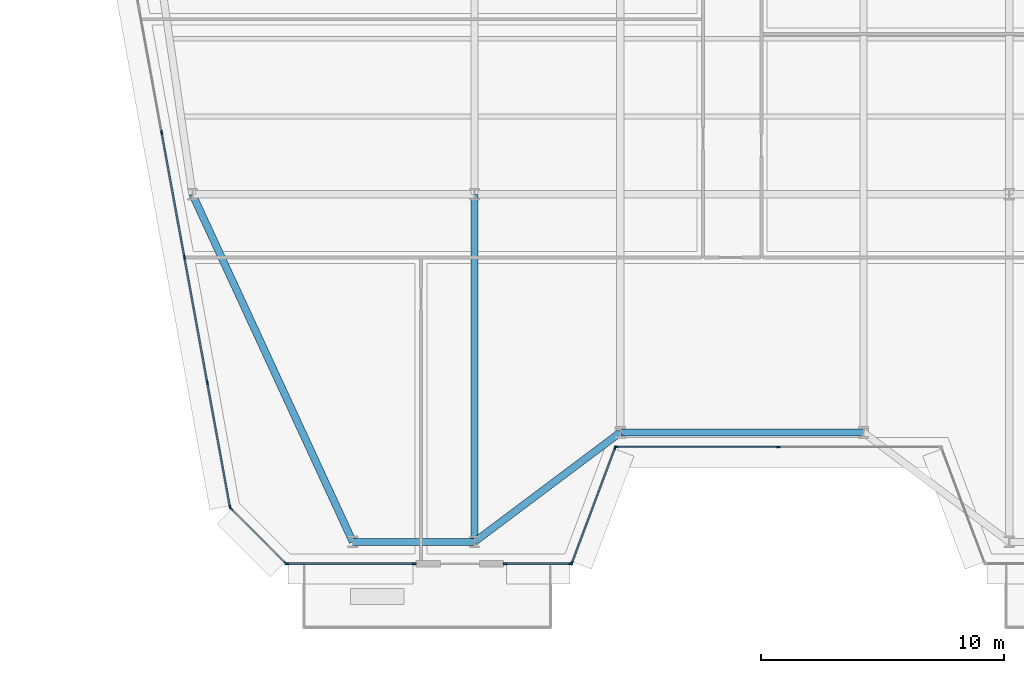
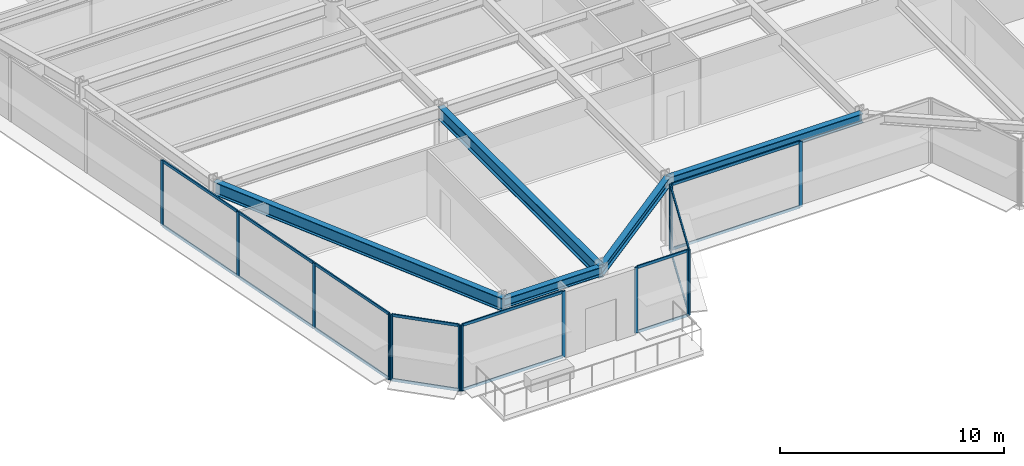
# One storey, part 2 of 17: 30 members, 5 beams, 6 elements without a shape of their own.
"""IFC4 building model written with IfcOpenShell, lengths in metres."""

from ifc_helpers import new_model, si_unit, direction, frame, origin, origin_2d, place, context, subcontext, project, spatial, rectangle, i_section, extrude, source, transform, mapped, material, layer, layer_set, material_profile, profile_set, type_object, element, aggregate, save


model = new_model("IFC4")

# Units and contexts
model_context = context("Model", 3, precision=1e-05, world=origin(), true_north=direction((0.0, 1.0)))
body_context = subcontext(model_context, "Body", "Model", "MODEL_VIEW")
ifc_project = project(units=[si_unit("LENGTHUNIT", "METRE"), si_unit("AREAUNIT", "SQUARE_METRE"), si_unit("VOLUMEUNIT", "CUBIC_METRE"), si_unit("PLANEANGLEUNIT", "RADIAN"), si_unit("MASSUNIT", "GRAM", prefix="KILO")], contexts=[model_context])

# Site, building, storey
site_placement = place(None, origin())
site = spatial("IfcSite", under=ifc_project, at=site_placement, CompositionType="ELEMENT")
building_placement = place(site_placement, origin())
building = spatial("IfcBuilding", under=site, at=building_placement, Name="Vaeldorn Concourse Tower", CompositionType="ELEMENT")
storey_placement = place(building_placement, frame((0.0, 0.0, 153.800048828125)))
storey = spatial("IfcBuildingStorey", under=building, at=storey_placement, Name="L39", CompositionType="ELEMENT", Elevation=153.800048828125)

# Beams
ifc_material_1 = material(Name="Steel S355", Category="steel")
ifc_material_profile_1 = material_profile(ifc_material_1, i_section(OverallWidth=0.300048828125, OverallDepth=0.5, WebThickness=0.014404296875, FlangeThickness=0.028076171875, FilletRadius=0.027099609375, at=origin_2d()), Name="HEB 500")
ifc_profile_set_1 = profile_set([ifc_material_profile_1], Name="Steel S355")
beam_type_1 = type_object("IfcBeamType", Name="BM-SP-HEB500", PredefinedType="SPANDREL", material=ifc_profile_set_1)
shared_shape_1 = source(origin(), body_context, "Body", "SweptSolid", [
    extrude(i_section(OverallWidth=0.300048828125, OverallDepth=0.5, WebThickness=0.014404296875, FlangeThickness=0.028076171875, FilletRadius=0.027099609375, at=origin_2d()), origin(), (0.0, 0.0, 1.0), 5.0),
])
beam_1_placement = place(storey_placement, frame((18.0, 3.699951171875, 3.329833984375), z_axis=(1.0, 0.0, 0.0), x_axis=(0.0, 1.0, 0.0)))
element("IfcBeam", 1, at=beam_1_placement, inside=storey, type_object=beam_type_1, Name="Beam BM-L39-C-SF1-C-SF2", PredefinedType="SPANDREL", context=body_context, shape_type="MappedRepresentation", body=[
    mapped(shared_shape_1, transform((0.0, 0.0, 0.0), scale=1.0)),
])
shared_shape_2 = source(origin(), body_context, "Body", "SweptSolid", [
    extrude(i_section(OverallWidth=0.300048828125, OverallDepth=0.5, WebThickness=0.014404296875, FlangeThickness=0.028076171875, FilletRadius=0.027099609375, at=origin_2d()), origin(), (0.0, 0.0, 1.0), 7.5),
])
beam_2_placement = place(storey_placement, frame((23.0, 3.699951171875, 3.329833984375), z_axis=(0.8, 0.6, 0.0), x_axis=(-0.6, 0.8, 0.0)))
element("IfcBeam", 2, at=beam_2_placement, inside=storey, type_object=beam_type_1, Name="Beam BM-L39-C-SF2-C-SF3", PredefinedType="SPANDREL", context=body_context, shape_type="MappedRepresentation", body=[
    mapped(shared_shape_2, transform((0.0, 0.0, 0.0), scale=1.0)),
])
shared_shape_3 = source(origin(), body_context, "Body", "SweptSolid", [
    extrude(i_section(OverallWidth=0.300048828125, OverallDepth=0.5, WebThickness=0.014404296875, FlangeThickness=0.028076171875, FilletRadius=0.027099609375, at=origin_2d()), origin(), (0.0, 0.0, 1.0), 10.0),
])
beam_3_placement = place(storey_placement, frame((29.0, 8.199951171875, 3.329833984375), z_axis=(1.0, 0.0, 0.0), x_axis=(0.0, 1.0, 0.0)))
element("IfcBeam", 3, at=beam_3_placement, inside=storey, type_object=beam_type_1, Name="Beam BM-L39-C-SF3-C-SF4", PredefinedType="SPANDREL", context=body_context, shape_type="MappedRepresentation", body=[
    mapped(shared_shape_3, transform((0.0, 0.0, 0.0), scale=1.0)),
])
ifc_material_profile_2 = material_profile(ifc_material_1, i_section(OverallWidth=0.300048828125, OverallDepth=0.699951171875, WebThickness=0.01708984375, FlangeThickness=0.031982421875, FilletRadius=0.027099609375, at=origin_2d()), Name="HEB 700")
ifc_profile_set_2 = profile_set([ifc_material_profile_2], Name="Steel S355")
beam_type_2 = type_object("IfcBeamType", Name="BM-PG-HEB700", PredefinedType="BEAM", material=ifc_profile_set_2)
shared_shape_4 = source(origin(), body_context, "Body", "SweptSolid", [
    extrude(i_section(OverallWidth=0.300048828125, OverallDepth=0.699951171875, WebThickness=0.01708984375, FlangeThickness=0.031982421875, FilletRadius=0.027099609375, at=origin_2d()), origin(), (0.0, 0.0, 1.0), 15.749755859375),
])
beam_4_placement = place(storey_placement, frame((18.0, 3.699951171875, 3.22998046875), z_axis=(-0.419062109495, 0.907957569706, 0.0), x_axis=(-0.907957569706, -0.419062109495, 0.0)))
element("IfcBeam", 4, at=beam_4_placement, inside=storey, type_object=beam_type_2, Name="Beam BM-L39-C-SF1-C-FLW2", PredefinedType="BEAM", context=body_context, shape_type="MappedRepresentation", body=[
    mapped(shared_shape_4, transform((0.0, 0.0, 0.0), scale=1.0)),
])
shared_shape_5 = source(origin(), body_context, "Body", "SweptSolid", [
    extrude(i_section(OverallWidth=0.300048828125, OverallDepth=0.699951171875, WebThickness=0.01708984375, FlangeThickness=0.031982421875, FilletRadius=0.027099609375, at=origin_2d()), origin(), (0.0, 0.0, 1.0), 14.300048828125),
])
beam_5_placement = place(storey_placement, frame((23.0, 3.699951171875, 3.22998046875), z_axis=(0.0, 1.0, 0.0), x_axis=(-1.0, 0.0, 0.0)))
element("IfcBeam", 5, at=beam_5_placement, inside=storey, type_object=beam_type_2, Name="Beam BM-L39-C-SF2-C-TW5", PredefinedType="BEAM", context=body_context, shape_type="MappedRepresentation", body=[
    mapped(shared_shape_5, transform((0.0, 0.0, 0.0), scale=1.0)),
])

# Curtain wall, members
ifc_material_2 = material(Name="Anodised Bronze Aluminium", Category="aluminium")
ifc_layer = layer(ifc_material_2, 0.2099609375)
ifc_layer_set = layer_set([ifc_layer], Name="Anodised Bronze Aluminium")
curtain_wall_type = type_object("IfcCurtainWallType", Name="CW-SYS-06", PredefinedType="NOTDEFINED", material=ifc_layer_set)
curtain_wall_1_placement = place(storey_placement, origin())
curtain_wall_1 = element("IfcCurtainWall", 6, at=curtain_wall_1_placement, inside=storey, type_object=curtain_wall_type, Name="Unitised Curtain Wall CW-L39-E01-1", PredefinedType="NOTDEFINED")
ifc_material_profile_3 = material_profile(ifc_material_2, rectangle(XDim=0.06494140625, YDim=0.169921875, at=origin_2d()), Name="CWM 65x170")
ifc_profile_set_3 = profile_set([ifc_material_profile_3], Name="Anodised Bronze Aluminium")
member_type_1 = type_object("IfcMemberType", Name="CWM-BRONZE-170", PredefinedType="MULLION", material=ifc_profile_set_3)
shared_shape_6 = source(origin(), body_context, "Body", "SweptSolid", [
    extrude(rectangle(XDim=0.06494140625, YDim=0.169921875, at=origin_2d()), origin(), (0.0, 0.0, 1.0), 3.579833984375),
])
member_1_placement = place(storey_placement, frame((15.285400390625, 2.800048828125, 0.0), z_axis=(0.0, 0.0, 1.0), x_axis=(0.0, 1.0, 0.0)))
member_1 = element("IfcMember", 7, at=member_1_placement, type_object=member_type_1, Name="CW-06 mullion 1", PredefinedType="MULLION", context=body_context, shape_type="MappedRepresentation", body=[
    mapped(shared_shape_6, transform((0.0, 0.0, 0.0), scale=1.0)),
])
member_2_placement = place(storey_placement, frame((20.527587890625, 2.800048828125, 0.0), z_axis=(0.0, 0.0, 1.0), x_axis=(0.0, 1.0, 0.0)))
member_2 = element("IfcMember", 8, at=member_2_placement, type_object=member_type_1, Name="CW-06 mullion 2", PredefinedType="MULLION", context=body_context, shape_type="MappedRepresentation", body=[
    mapped(shared_shape_6, transform((0.0, 0.0, 0.0), scale=1.0)),
])

curtain_wall_2_placement = place(storey_placement, origin())
curtain_wall_2 = element("IfcCurtainWall", 9, at=curtain_wall_2_placement, inside=storey, type_object=curtain_wall_type, Name="Unitised Curtain Wall CW-L39-E01-2", PredefinedType="NOTDEFINED")
member_3_placement = place(storey_placement, frame((24.2724609375, 2.800048828125, 0.0), z_axis=(0.0, 0.0, 1.0), x_axis=(0.0, 1.0, 0.0)))
member_3 = element("IfcMember", 10, at=member_3_placement, type_object=member_type_1, Name="CW-06 mullion 1", PredefinedType="MULLION", context=body_context, shape_type="MappedRepresentation", body=[
    mapped(shared_shape_6, transform((0.0, 0.0, 0.0), scale=1.0)),
])
member_4_placement = place(storey_placement, frame((26.967529296875, 2.800048828125, 0.0), z_axis=(0.0, 0.0, 1.0), x_axis=(0.0, 1.0, 0.0)))
member_4 = element("IfcMember", 11, at=member_4_placement, type_object=member_type_1, Name="CW-06 mullion 2", PredefinedType="MULLION", context=body_context, shape_type="MappedRepresentation", body=[
    mapped(shared_shape_6, transform((0.0, 0.0, 0.0), scale=1.0)),
])

curtain_wall_3_placement = place(storey_placement, origin())
curtain_wall_3 = element("IfcCurtainWall", 12, at=curtain_wall_3_placement, inside=storey, type_object=curtain_wall_type, Name="Unitised Curtain Wall CW-L39-E02-1", PredefinedType="NOTDEFINED")
member_5_placement = place(storey_placement, frame((27.011474609375, 2.830322265625, 0.0), z_axis=(0.0, 0.0, 1.0), x_axis=(-0.936329177566, 0.351123441595, 0.0)))
member_5 = element("IfcMember", 13, at=member_5_placement, type_object=member_type_1, Name="CW-06 mullion 1", PredefinedType="MULLION", context=body_context, shape_type="MappedRepresentation", body=[
    mapped(shared_shape_6, transform((0.0, 0.0, 0.0), scale=1.0)),
])
member_6_placement = place(storey_placement, frame((28.78857421875, 7.569580078125, 0.0), z_axis=(0.0, 0.0, 1.0), x_axis=(-0.936329177566, 0.351123441595, 0.0)))
member_6 = element("IfcMember", 14, at=member_6_placement, type_object=member_type_1, Name="CW-06 mullion 2", PredefinedType="MULLION", context=body_context, shape_type="MappedRepresentation", body=[
    mapped(shared_shape_6, transform((0.0, 0.0, 0.0), scale=1.0)),
])

curtain_wall_4_placement = place(storey_placement, origin())
curtain_wall_4 = element("IfcCurtainWall", 15, at=curtain_wall_4_placement, inside=storey, type_object=curtain_wall_type, Name="Unitised Curtain Wall CW-L39-E03-1", PredefinedType="NOTDEFINED")
member_7_placement = place(storey_placement, frame((28.83251953125, 7.60009765625, 0.0), z_axis=(0.0, 0.0, 1.0), x_axis=(0.0, 1.0, 0.0)))
member_7 = element("IfcMember", 16, at=member_7_placement, type_object=member_type_1, Name="CW-06 mullion 1", PredefinedType="MULLION", context=body_context, shape_type="MappedRepresentation", body=[
    mapped(shared_shape_6, transform((0.0, 0.0, 0.0), scale=1.0)),
])
member_8_placement = place(storey_placement, frame((35.5, 7.60009765625, 0.0), z_axis=(0.0, 0.0, 1.0), x_axis=(0.0, 1.0, 0.0)))
member_8 = element("IfcMember", 17, at=member_8_placement, type_object=member_type_1, Name="CW-06 mullion 2", PredefinedType="MULLION", context=body_context, shape_type="MappedRepresentation", body=[
    mapped(shared_shape_6, transform((0.0, 0.0, 0.0), scale=1.0)),
])

curtain_wall_5_placement = place(storey_placement, origin())
curtain_wall_5 = element("IfcCurtainWall", 18, at=curtain_wall_5_placement, inside=storey, type_object=curtain_wall_type, Name="Unitised Curtain Wall CW-L39-E11-2", PredefinedType="NOTDEFINED")
member_9_placement = place(storey_placement, frame((10.136474609375, 20.541015625, 0.0), z_axis=(0.0, 0.0, 1.0), x_axis=(0.983767760981, 0.179446349793, 0.0)))
member_9 = element("IfcMember", 19, at=member_9_placement, type_object=member_type_1, Name="CW-06 mullion 4", PredefinedType="MULLION", context=body_context, shape_type="MappedRepresentation", body=[
    mapped(shared_shape_6, transform((0.0, 0.0, 0.0), scale=1.0)),
])
member_10_placement = place(storey_placement, frame((11.0751953125, 15.39404296875, 0.0), z_axis=(0.0, 0.0, 1.0), x_axis=(0.983767760981, 0.179446349793, 0.0)))
member_10 = element("IfcMember", 20, at=member_10_placement, type_object=member_type_1, Name="CW-06 mullion 5", PredefinedType="MULLION", context=body_context, shape_type="MappedRepresentation", body=[
    mapped(shared_shape_6, transform((0.0, 0.0, 0.0), scale=1.0)),
])
member_11_placement = place(storey_placement, frame((12.01416015625, 10.2470703125, 0.0), z_axis=(0.0, 0.0, 1.0), x_axis=(0.983767760981, 0.179446349793, 0.0)))
member_11 = element("IfcMember", 21, at=member_11_placement, type_object=member_type_1, Name="CW-06 mullion 6", PredefinedType="MULLION", context=body_context, shape_type="MappedRepresentation", body=[
    mapped(shared_shape_6, transform((0.0, 0.0, 0.0), scale=1.0)),
])
member_12_placement = place(storey_placement, frame((12.947265625, 5.132080078125, 0.0), z_axis=(0.0, 0.0, 1.0), x_axis=(0.983767760981, 0.179446349793, 0.0)))
member_12 = element("IfcMember", 22, at=member_12_placement, type_object=member_type_1, Name="CW-06 mullion 7", PredefinedType="MULLION", context=body_context, shape_type="MappedRepresentation", body=[
    mapped(shared_shape_6, transform((0.0, 0.0, 0.0), scale=1.0)),
])

curtain_wall_6_placement = place(storey_placement, origin())
curtain_wall_6 = element("IfcCurtainWall", 23, at=curtain_wall_6_placement, inside=storey, type_object=curtain_wall_type, Name="Unitised Curtain Wall CW-L39-E12-1", PredefinedType="NOTDEFINED")
member_13_placement = place(storey_placement, frame((12.97607421875, 5.076904296875, 0.0), z_axis=(0.0, 0.0, 1.0), x_axis=(0.707106781187, 0.707106781187, 0.0)))
member_13 = element("IfcMember", 24, at=member_13_placement, type_object=member_type_1, Name="CW-06 mullion 1", PredefinedType="MULLION", context=body_context, shape_type="MappedRepresentation", body=[
    mapped(shared_shape_6, transform((0.0, 0.0, 0.0), scale=1.0)),
])
member_14_placement = place(storey_placement, frame((15.22998046875, 2.822998046875, 0.0), z_axis=(0.0, 0.0, 1.0), x_axis=(0.707106781187, 0.707106781187, 0.0)))
member_14 = element("IfcMember", 25, at=member_14_placement, type_object=member_type_1, Name="CW-06 mullion 2", PredefinedType="MULLION", context=body_context, shape_type="MappedRepresentation", body=[
    mapped(shared_shape_6, transform((0.0, 0.0, 0.0), scale=1.0)),
])

# Member
ifc_material_profile_4 = material_profile(ifc_material_2, rectangle(XDim=0.06494140625, YDim=0.14990234375, at=origin_2d()), Name="CWT 65x150")
ifc_profile_set_4 = profile_set([ifc_material_profile_4], Name="Anodised Bronze Aluminium")
member_type_2 = type_object("IfcMemberType", Name="CWT-BRONZE-150", PredefinedType="USERDEFINED", material=ifc_profile_set_4)
shared_shape_7 = source(origin(), body_context, "Body", "SweptSolid", [
    extrude(rectangle(XDim=0.06494140625, YDim=0.14990234375, at=origin_2d()), origin(), (0.0, 0.0, 1.0), 5.177001953125),
])
member_15_placement = place(storey_placement, frame((15.318115234375, 2.800048828125, 0.032470703125), z_axis=(1.0, 0.0, 0.0), x_axis=(0.0, 1.0, 0.0)))
member_15 = element("IfcMember", 26, at=member_15_placement, type_object=member_type_2, Name="CW-06 transom 1.1", ObjectType="TRANSOM", PredefinedType="USERDEFINED", context=body_context, shape_type="MappedRepresentation", body=[
    mapped(shared_shape_7, transform((0.0, 0.0, 0.0), scale=1.0)),
])

member_16_placement = place(storey_placement, frame((15.318115234375, 2.800048828125, 3.54736328125), z_axis=(1.0, 0.0, 0.0), x_axis=(0.0, 1.0, 0.0)))
member_16 = element("IfcMember", 27, at=member_16_placement, type_object=member_type_2, Name="CW-06 transom 1.2", ObjectType="TRANSOM", PredefinedType="USERDEFINED", context=body_context, shape_type="MappedRepresentation", body=[
    mapped(shared_shape_7, transform((0.0, 0.0, 0.0), scale=1.0)),
])

aggregate(curtain_wall_1, [member_1, member_2, member_15, member_16])

shared_shape_8 = source(origin(), body_context, "Body", "SweptSolid", [
    extrude(rectangle(XDim=0.06494140625, YDim=0.14990234375, at=origin_2d()), origin(), (0.0, 0.0, 1.0), 2.630126953125),
])
member_17_placement = place(storey_placement, frame((24.304931640625, 2.800048828125, 0.032470703125), z_axis=(1.0, 0.0, 0.0), x_axis=(0.0, 1.0, 0.0)))
member_17 = element("IfcMember", 28, at=member_17_placement, type_object=member_type_2, Name="CW-06 transom 1.1", ObjectType="TRANSOM", PredefinedType="USERDEFINED", context=body_context, shape_type="MappedRepresentation", body=[
    mapped(shared_shape_8, transform((0.0, 0.0, 0.0), scale=1.0)),
])

member_18_placement = place(storey_placement, frame((24.304931640625, 2.800048828125, 3.54736328125), z_axis=(1.0, 0.0, 0.0), x_axis=(0.0, 1.0, 0.0)))
member_18 = element("IfcMember", 29, at=member_18_placement, type_object=member_type_2, Name="CW-06 transom 1.2", ObjectType="TRANSOM", PredefinedType="USERDEFINED", context=body_context, shape_type="MappedRepresentation", body=[
    mapped(shared_shape_8, transform((0.0, 0.0, 0.0), scale=1.0)),
])

aggregate(curtain_wall_2, [member_3, member_4, member_17, member_18])

shared_shape_9 = source(origin(), body_context, "Body", "SweptSolid", [
    extrude(rectangle(XDim=0.06494140625, YDim=0.14990234375, at=origin_2d()), origin(), (0.0, 0.0, 1.0), 4.996337890625),
])
member_19_placement = place(storey_placement, frame((27.022705078125, 2.86083984375, 0.032470703125), z_axis=(0.351134151405, 0.936325161318, 0.0), x_axis=(-0.936325161318, 0.351134151405, 0.0)))
member_19 = element("IfcMember", 30, at=member_19_placement, type_object=member_type_2, Name="CW-06 transom 1.1", ObjectType="TRANSOM", PredefinedType="USERDEFINED", context=body_context, shape_type="MappedRepresentation", body=[
    mapped(shared_shape_9, transform((0.0, 0.0, 0.0), scale=1.0)),
])

member_20_placement = place(storey_placement, frame((27.022705078125, 2.86083984375, 3.54736328125), z_axis=(0.351134151405, 0.936325161318, 0.0), x_axis=(-0.936325161318, 0.351134151405, 0.0)))
member_20 = element("IfcMember", 31, at=member_20_placement, type_object=member_type_2, Name="CW-06 transom 1.2", ObjectType="TRANSOM", PredefinedType="USERDEFINED", context=body_context, shape_type="MappedRepresentation", body=[
    mapped(shared_shape_9, transform((0.0, 0.0, 0.0), scale=1.0)),
])

aggregate(curtain_wall_3, [member_5, member_6, member_19, member_20])

shared_shape_10 = source(origin(), body_context, "Body", "SweptSolid", [
    extrude(rectangle(XDim=0.06494140625, YDim=0.14990234375, at=origin_2d()), origin(), (0.0, 0.0, 1.0), 6.6025390625),
])
member_21_placement = place(storey_placement, frame((28.864990234375, 7.60009765625, 0.032470703125), z_axis=(1.0, 0.0, 0.0), x_axis=(0.0, 1.0, 0.0)))
member_21 = element("IfcMember", 32, at=member_21_placement, type_object=member_type_2, Name="CW-06 transom 1.1", ObjectType="TRANSOM", PredefinedType="USERDEFINED", context=body_context, shape_type="MappedRepresentation", body=[
    mapped(shared_shape_10, transform((0.0, 0.0, 0.0), scale=1.0)),
])

member_22_placement = place(storey_placement, frame((28.864990234375, 7.60009765625, 3.54736328125), z_axis=(1.0, 0.0, 0.0), x_axis=(0.0, 1.0, 0.0)))
member_22 = element("IfcMember", 33, at=member_22_placement, type_object=member_type_2, Name="CW-06 transom 1.2", ObjectType="TRANSOM", PredefinedType="USERDEFINED", context=body_context, shape_type="MappedRepresentation", body=[
    mapped(shared_shape_10, transform((0.0, 0.0, 0.0), scale=1.0)),
])

aggregate(curtain_wall_4, [member_7, member_8, member_21, member_22])

shared_shape_11 = source(origin(), body_context, "Body", "SweptSolid", [
    extrude(rectangle(XDim=0.06494140625, YDim=0.14990234375, at=origin_2d()), origin(), (0.0, 0.0, 1.0), 3.12255859375),
])
member_23_placement = place(storey_placement, frame((12.9990234375, 5.053955078125, 0.032470703125), z_axis=(0.707106781187, -0.707106781187, 0.0), x_axis=(0.707106781187, 0.707106781187, 0.0)))
member_23 = element("IfcMember", 34, at=member_23_placement, type_object=member_type_2, Name="CW-06 transom 1.1", ObjectType="TRANSOM", PredefinedType="USERDEFINED", context=body_context, shape_type="MappedRepresentation", body=[
    mapped(shared_shape_11, transform((0.0, 0.0, 0.0), scale=1.0)),
])

member_24_placement = place(storey_placement, frame((12.9990234375, 5.053955078125, 3.54736328125), z_axis=(0.707106781187, -0.707106781187, 0.0), x_axis=(0.707106781187, 0.707106781187, 0.0)))
member_24 = element("IfcMember", 35, at=member_24_placement, type_object=member_type_2, Name="CW-06 transom 1.2", ObjectType="TRANSOM", PredefinedType="USERDEFINED", context=body_context, shape_type="MappedRepresentation", body=[
    mapped(shared_shape_11, transform((0.0, 0.0, 0.0), scale=1.0)),
])

aggregate(curtain_wall_6, [member_13, member_14, member_23, member_24])

shared_shape_12 = source(origin(), body_context, "Body", "SweptSolid", [
    extrude(rectangle(XDim=0.06494140625, YDim=0.14990234375, at=origin_2d()), origin(), (0.0, 0.0, 1.0), 5.13427734375),
])
member_25_placement = place(storey_placement, frame((12.02001953125, 10.215087890625, 0.032470703125), z_axis=(0.179454489179, -0.983766276264, 0.0), x_axis=(0.983766276264, 0.179454489179, 0.0)))
member_25 = element("IfcMember", 36, at=member_25_placement, type_object=member_type_2, Name="CW-06 transom 6.1", ObjectType="TRANSOM", PredefinedType="USERDEFINED", context=body_context, shape_type="MappedRepresentation", body=[
    mapped(shared_shape_12, transform((0.0, 0.0, 0.0), scale=1.0)),
])

member_26_placement = place(storey_placement, frame((12.02001953125, 10.215087890625, 3.54736328125), z_axis=(0.179454489179, -0.983766276264, 0.0), x_axis=(0.983766276264, 0.179454489179, 0.0)))
member_26 = element("IfcMember", 37, at=member_26_placement, type_object=member_type_2, Name="CW-06 transom 6.2", ObjectType="TRANSOM", PredefinedType="USERDEFINED", context=body_context, shape_type="MappedRepresentation", body=[
    mapped(shared_shape_12, transform((0.0, 0.0, 0.0), scale=1.0)),
])

shared_shape_13 = source(origin(), body_context, "Body", "SweptSolid", [
    extrude(rectangle(XDim=0.06494140625, YDim=0.14990234375, at=origin_2d()), origin(), (0.0, 0.0, 1.0), 5.1669921875),
])
member_27_placement = place(storey_placement, frame((10.142333984375, 20.509033203125, 0.032470703125), z_axis=(0.179459223682, -0.983765412604, 0.0), x_axis=(0.983765412604, 0.179459223682, 0.0)))
member_27 = element("IfcMember", 38, at=member_27_placement, type_object=member_type_2, Name="CW-06 transom 4.1", ObjectType="TRANSOM", PredefinedType="USERDEFINED", context=body_context, shape_type="MappedRepresentation", body=[
    mapped(shared_shape_13, transform((0.0, 0.0, 0.0), scale=1.0)),
])

member_28_placement = place(storey_placement, frame((10.142333984375, 20.509033203125, 3.54736328125), z_axis=(0.179459223682, -0.983765412604, 0.0), x_axis=(0.983765412604, 0.179459223682, 0.0)))
member_28 = element("IfcMember", 39, at=member_28_placement, type_object=member_type_2, Name="CW-06 transom 4.2", ObjectType="TRANSOM", PredefinedType="USERDEFINED", context=body_context, shape_type="MappedRepresentation", body=[
    mapped(shared_shape_13, transform((0.0, 0.0, 0.0), scale=1.0)),
])

member_29_placement = place(storey_placement, frame((11.0810546875, 15.362060546875, 0.032470703125), z_axis=(0.179459223682, -0.983765412604, 0.0), x_axis=(0.983765412604, 0.179459223682, 0.0)))
member_29 = element("IfcMember", 40, at=member_29_placement, type_object=member_type_2, Name="CW-06 transom 5.1", ObjectType="TRANSOM", PredefinedType="USERDEFINED", context=body_context, shape_type="MappedRepresentation", body=[
    mapped(shared_shape_13, transform((0.0, 0.0, 0.0), scale=1.0)),
])

member_30_placement = place(storey_placement, frame((11.0810546875, 15.362060546875, 3.54736328125), z_axis=(0.179459223682, -0.983765412604, 0.0), x_axis=(0.983765412604, 0.179459223682, 0.0)))
member_30 = element("IfcMember", 41, at=member_30_placement, type_object=member_type_2, Name="CW-06 transom 5.2", ObjectType="TRANSOM", PredefinedType="USERDEFINED", context=body_context, shape_type="MappedRepresentation", body=[
    mapped(shared_shape_13, transform((0.0, 0.0, 0.0), scale=1.0)),
])

aggregate(curtain_wall_5, [member_9, member_10, member_11, member_12, member_27, member_28, member_29, member_30, member_25, member_26])

save(model, "model.ifc")
